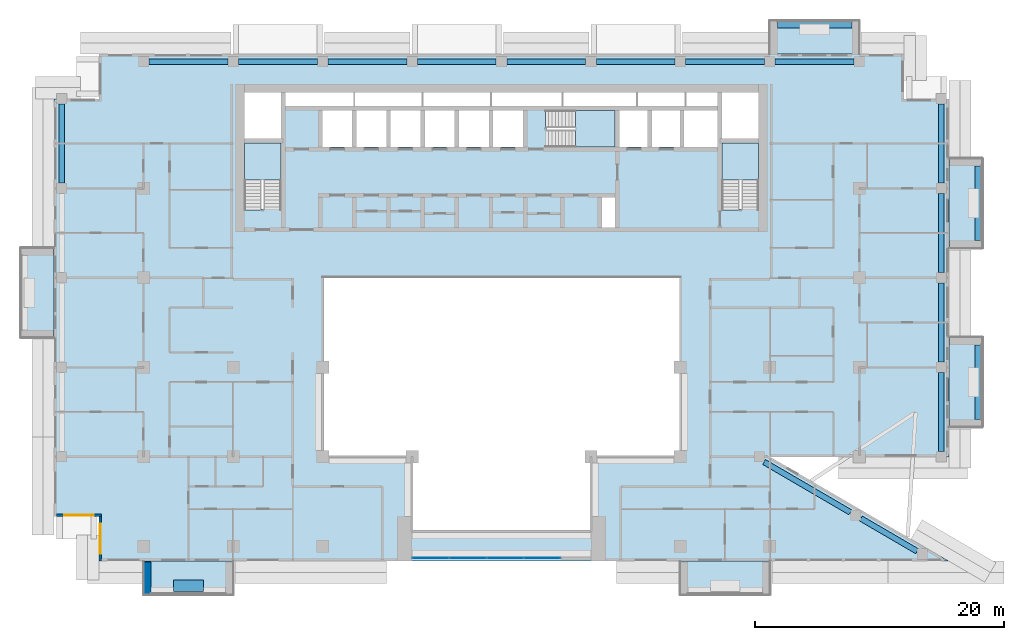
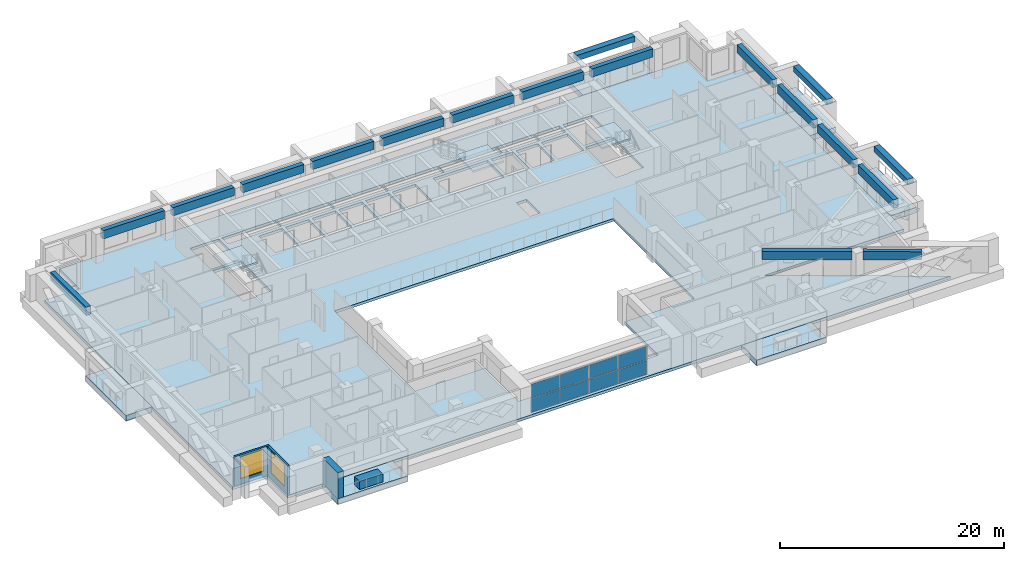
# One storey, part 5 of 20: 18 beams, 10 slabs, 8 plates, 4 walls, 2 windows, 2 openings, 4 elements without a shape of their own.
"""IFC4 building model written with IfcOpenShell, lengths in metres."""

from ifc_helpers import new_model, si_unit, direction, frame, frame_2d, origin, origin_2d, place, context, subcontext, project, spatial, polyline, rectangle, outline, extrude, source, transform, mapped, material, layer, layer_set, material_profile, profile_set, type_object, element, fill, aggregate, save


model = new_model("IFC4")

# Units and contexts
model_context = context("Model", 3, precision=1e-05, world=origin(), true_north=direction((0.0, 1.0)))
body_context = subcontext(model_context, "Body", "Model", "MODEL_VIEW")
ifc_project = project(units=[si_unit("LENGTHUNIT", "METRE"), si_unit("AREAUNIT", "SQUARE_METRE"), si_unit("VOLUMEUNIT", "CUBIC_METRE"), si_unit("PLANEANGLEUNIT", "RADIAN"), si_unit("MASSUNIT", "GRAM", prefix="KILO")], contexts=[model_context])

# Site, building, storey
site_placement = place(None, origin())
site = spatial("IfcSite", under=ifc_project, at=site_placement, CompositionType="ELEMENT")
building_placement = place(site_placement, origin())
building = spatial("IfcBuilding", under=site, at=building_placement, Name="Saffron Iwan Residences", CompositionType="ELEMENT")
storey_placement = place(building_placement, frame((0.0, 0.0, 167.5)))
storey = spatial("IfcBuildingStorey", under=building, at=storey_placement, Name="L44", CompositionType="ELEMENT", Elevation=167.5)

# Beams
ifc_material_1 = material(Name="Concrete C50/60", Category="concrete")
ifc_material_profile_1 = material_profile(ifc_material_1, rectangle(XDim=0.449951171875, YDim=0.89990234375, at=origin_2d()), Name="RC 450x900")
ifc_profile_set_1 = profile_set([ifc_material_profile_1], Name="Concrete C50/60")
beam_type_1 = type_object("IfcBeamType", Name="SPANDREL BEAM RC 450x900 C50/60 TOP 3200", PredefinedType="SPANDREL", material=ifc_profile_set_1)
shared_shape_1 = source(origin(), body_context, "Body", "SweptSolid", [
    extrude(rectangle(XDim=0.449951171875, YDim=0.89990234375, at=origin_2d()), origin(), (0.0, 0.0, 1.0), 5.24267578125),
])
beam_1_placement = place(storey_placement, frame((79.32275390625, 43.03369140625, 2.75), z_axis=(0.863783967805, -0.503862339299, 0.0), x_axis=(0.503862339299, 0.863783967805, 0.0)))
element("IfcBeam", 1, at=beam_1_placement, inside=storey, type_object=beam_type_1, Name="Spandrel beam", PredefinedType="SPANDREL", context=body_context, shape_type="MappedRepresentation", body=[
    mapped(shared_shape_1, transform((0.0, 0.0, 0.0))),
])
shared_shape_2 = source(origin(), body_context, "Body", "SweptSolid", [
    extrude(rectangle(XDim=0.449951171875, YDim=0.89990234375, at=origin_2d()), origin(), (0.0, 0.0, 1.0), 8.028564453125),
])
beam_2_placement = place(storey_placement, frame((71.537841796875, 47.574951171875, 2.75), z_axis=(0.863773386225, -0.503880479132, 0.0), x_axis=(0.503880479132, 0.863773386225, 0.0)))
element("IfcBeam", 2, at=beam_2_placement, inside=storey, type_object=beam_type_1, Name="Spandrel beam", PredefinedType="SPANDREL", context=body_context, shape_type="MappedRepresentation", body=[
    mapped(shared_shape_2, transform((0.0, 0.0, 0.0))),
])
shared_shape_3 = source(origin(), body_context, "Body", "SweptSolid", [
    extrude(rectangle(XDim=0.449951171875, YDim=0.89990234375, at=origin_2d()), origin(), (0.0, 0.0, 1.0), 6.349853515625),
])
for number, where, z_axis, x_axis, name in (
    (3, (85.800048828125, 54.77490234375, 2.75), (0.0, -1.0, 0.0), (1.0, 0.0, 0.0), "Spandrel beam"),
    (4, (29.22509765625, 79.800048828125, 2.75), (1.0, 0.0, 0.0), (0.0, 1.0, 0.0), "Spandrel beam"),
    (5, (36.425048828125, 79.800048828125, 2.75), (1.0, 0.0, 0.0), (0.0, 1.0, 0.0), "Spandrel beam"),
    (6, (65.22509765625, 79.800048828125, 2.75), (1.0, 0.0, 0.0), (0.0, 1.0, 0.0), "Spandrel beam"),
    (7, (72.425048828125, 79.800048828125, 2.75), (1.0, 0.0, 0.0), (0.0, 1.0, 0.0), "Spandrel beam"),
):
    element("IfcBeam", number, at=place(storey_placement, frame(where, z_axis=z_axis, x_axis=x_axis)), inside=storey, type_object=beam_type_1, Name=name, PredefinedType="SPANDREL", context=body_context, shape_type="MappedRepresentation", body=[
        mapped(shared_shape_3, transform((0.0, 0.0, 0.0))),
    ])
shared_shape_4 = source(origin(), body_context, "Body", "SweptSolid", [
    extrude(rectangle(XDim=0.449951171875, YDim=0.89990234375, at=origin_2d()), origin(), (0.0, 0.0, 1.0), 6.35009765625),
])
for number, where, z_axis, x_axis, name in (
    (8, (85.800048828125, 61.97509765625, 2.75), (0.0, -1.0, 0.0), (1.0, 0.0, 0.0), "Spandrel beam"),
    (9, (85.800048828125, 69.175048828125, 2.75), (0.0, -1.0, 0.0), (1.0, 0.0, 0.0), "Spandrel beam"),
    (10, (15.0, 70.02490234375, 2.75), (0.0, 1.0, 0.0), (-1.0, 0.0, 0.0), "Spandrel beam"),
    (11, (85.800048828125, 76.375, 2.75), (0.0, -1.0, 0.0), (1.0, 0.0, 0.0), "Spandrel beam"),
    (12, (22.02490234375, 79.800048828125, 2.75), (1.0, 0.0, 0.0), (0.0, 1.0, 0.0), "Spandrel beam"),
    (13, (43.625, 79.800048828125, 2.75), (1.0, 0.0, 0.0), (0.0, 1.0, 0.0), "Spandrel beam"),
    (14, (50.824951171875, 79.800048828125, 2.75), (1.0, 0.0, 0.0), (0.0, 1.0, 0.0), "Spandrel beam"),
    (15, (58.02490234375, 79.800048828125, 2.75), (1.0, 0.0, 0.0), (0.0, 1.0, 0.0), "Spandrel beam"),
):
    element("IfcBeam", number, at=place(storey_placement, frame(where, z_axis=z_axis, x_axis=x_axis)), inside=storey, type_object=beam_type_1, Name=name, PredefinedType="SPANDREL", context=body_context, shape_type="MappedRepresentation", body=[
        mapped(shared_shape_4, transform((0.0, 0.0, 0.0))),
    ])
ifc_material_2 = material(Name="Concrete C50/60 white painted", Category="concrete")
ifc_material_profile_2 = material_profile(ifc_material_2, rectangle(XDim=0.60009765625, YDim=0.60009765625, at=origin_2d()), Name="BALCONY FASCIA BEAM 600 x 600")
ifc_profile_set_2 = profile_set([ifc_material_profile_2], Name="Concrete C50/60 white painted")
beam_type_2 = type_object("IfcBeamType", Name="BALCONY FASCIA BEAM 600 x 600", PredefinedType="BEAM", material=ifc_profile_set_2)
shared_shape_5 = source(origin(), body_context, "Body", "SweptSolid", [
    extrude(rectangle(XDim=0.60009765625, YDim=0.60009765625, at=origin_2d()), origin(), (0.0, 0.0, 1.0), 6.0),
])
for number, where, z_axis, x_axis, name in (
    (16, (88.800048828125, 51.0, 2.550048828125), (0.0, 1.0, 0.0), (-1.0, 0.0, 0.0), "Balcony fascia beam L44 F2-0"),
    (17, (88.800048828125, 65.39990234375, 2.550048828125), (0.0, 1.0, 0.0), (-1.0, 0.0, 0.0), "Balcony fascia beam L44 F2-1"),
    (18, (78.60009765625, 82.800048828125, 2.550048828125), (-1.0, 0.0, 0.0), (0.0, -1.0, 0.0), "Balcony fascia beam L44 F5-0"),
):
    element("IfcBeam", number, at=place(storey_placement, frame(where, z_axis=z_axis, x_axis=x_axis)), inside=storey, type_object=beam_type_2, Name=name, PredefinedType="BEAM", context=body_context, shape_type="MappedRepresentation", body=[
        mapped(shared_shape_5, transform((0.0, 0.0, 0.0))),
    ])

# Slabs
ifc_layer_1 = layer(ifc_material_2, 0.60009765625)
ifc_layer_set_1 = layer_set([ifc_layer_1], Name="Concrete C50/60 white painted")
slab_type_1 = type_object("IfcSlabType", Name="BALCONY FRAME SLAB 600", PredefinedType="FLOOR", material=ifc_layer_set_1)
slab_1_placement = place(storey_placement, frame((0.0, 0.0, -0.60009765625)))
element("IfcSlab", 19, at=slab_1_placement, inside=storey, type_object=slab_type_1, Name="Balcony frame slab L44 F2-0", PredefinedType="FLOOR", context=body_context, shape_type="SweptSolid", body=[
    extrude(outline(polyline([(89.10009765625, 50.39990234375), (89.10009765625, 57.60009765625), (86.39990234375, 57.60009765625), (86.39990234375, 50.39990234375), (89.10009765625, 50.39990234375)])), origin(), (0.0, 0.0, 1.0), 0.60009765625),
])
slab_2_placement = place(storey_placement, frame((0.0, 0.0, -0.60009765625)))
element("IfcSlab", 20, at=slab_2_placement, inside=storey, type_object=slab_type_1, Name="Balcony frame slab L44 F2-1", PredefinedType="FLOOR", context=body_context, shape_type="SweptSolid", body=[
    extrude(outline(polyline([(89.10009765625, 64.800048828125), (89.10009765625, 72.0), (86.39990234375, 72.0), (86.39990234375, 64.800048828125), (89.10009765625, 64.800048828125)])), origin(), (0.0, 0.0, 1.0), 0.60009765625),
])
slab_3_placement = place(storey_placement, frame((0.0, 0.0, -0.60009765625)))
element("IfcSlab", 21, at=slab_3_placement, inside=storey, type_object=slab_type_1, Name="Balcony frame slab L44 F5-0", PredefinedType="FLOOR", context=body_context, shape_type="SweptSolid", body=[
    extrude(outline(polyline([(79.199951171875, 83.10009765625), (72.0, 83.10009765625), (72.0, 80.39990234375), (79.199951171875, 80.39990234375), (79.199951171875, 83.10009765625)])), origin(), (0.0, 0.0, 1.0), 0.60009765625),
])
slab_4_placement = place(storey_placement, frame((0.0, 0.0, -0.60009765625)))
element("IfcSlab", 22, at=slab_4_placement, inside=storey, type_object=slab_type_1, Name="Balcony frame slab L44 F8-0", PredefinedType="FLOOR", context=body_context, shape_type="SweptSolid", body=[
    extrude(outline(polyline([(11.699951171875, 64.800048828125), (11.699951171875, 57.60009765625), (14.39990234375, 57.60009765625), (14.39990234375, 64.800048828125), (11.699951171875, 64.800048828125)])), origin(), (0.0, 0.0, 1.0), 0.60009765625),
])
slab_5_placement = place(storey_placement, frame((0.0, 0.0, -0.60009765625)))
element("IfcSlab", 23, at=slab_5_placement, inside=storey, type_object=slab_type_1, Name="Balcony frame slab L44 11-0", PredefinedType="FLOOR", context=body_context, shape_type="SweptSolid", body=[
    extrude(outline(polyline([(21.60009765625, 36.89990234375), (28.800048828125, 36.89990234375), (28.800048828125, 39.60009765625), (21.60009765625, 39.60009765625), (21.60009765625, 36.89990234375)])), origin(), (0.0, 0.0, 1.0), 0.60009765625),
])
slab_6_placement = place(storey_placement, frame((0.0, 0.0, -0.60009765625)))
element("IfcSlab", 24, at=slab_6_placement, inside=storey, type_object=slab_type_1, Name="Balcony frame slab L44 11-1", PredefinedType="FLOOR", context=body_context, shape_type="SweptSolid", body=[
    extrude(outline(polyline([(64.800048828125, 36.89990234375), (72.0, 36.89990234375), (72.0, 39.60009765625), (64.800048828125, 39.60009765625), (64.800048828125, 36.89990234375)])), origin(), (0.0, 0.0, 1.0), 0.60009765625),
])
ifc_material_3 = material(Name="Concrete C40/50", Category="concrete")
ifc_layer_2 = layer(ifc_material_3, 0.300048828125)
ifc_layer_set_2 = layer_set([ifc_layer_2], Name="Concrete C40/50")
slab_type_2 = type_object("IfcSlabType", Name="PT PLATE 300 C40/50", PredefinedType="FLOOR", material=ifc_layer_set_2)
slab_7_placement = place(storey_placement, frame((0.0, 0.0, -0.300048828125)))
element("IfcSlab", 25, at=slab_7_placement, inside=storey, type_object=slab_type_2, Name="Floor slab L44", PredefinedType="FLOOR", context=body_context, shape_type="SweptSolid", body=[
    extrude(outline(polyline([(14.39990234375, 43.199951171875), (14.39990234375, 76.800048828125), (18.0, 76.800048828125), (18.0, 80.39990234375), (82.800048828125, 80.39990234375), (82.800048828125, 76.800048828125), (86.39990234375, 76.800048828125), (86.39990234375, 48.0), (72.0, 48.0), (86.39990234375, 39.60009765625), (18.0, 39.60009765625), (18.0, 43.199951171875), (14.39990234375, 43.199951171875)]), holes=[polyline([(64.800048828125, 48.0), (64.800048828125, 62.39990234375), (36.0, 62.39990234375), (36.0, 48.0), (43.199951171875, 48.0), (43.199951171875, 42.0), (57.60009765625, 42.0), (57.60009765625, 48.0), (64.800048828125, 48.0)]), polyline([(29.699951171875, 73.25), (29.699951171875, 67.949951171875), (29.699951171875, 67.8505859375), (31.10009765625, 67.8505859375), (31.10009765625, 67.949951171875), (32.64990234375, 67.949951171875), (32.64990234375, 73.25), (29.699951171875, 73.25)]), polyline([(38.375, 75.875), (35.97509765625, 75.875), (35.97509765625, 72.925048828125), (38.375, 72.925048828125), (38.375, 75.875)]), polyline([(41.125, 75.875), (38.72509765625, 75.875), (38.72509765625, 72.925048828125), (41.125, 72.925048828125), (41.125, 75.875)]), polyline([(43.875, 72.925048828125), (43.875, 75.875), (41.47509765625, 75.875), (41.47509765625, 72.925048828125), (43.875, 72.925048828125)]), polyline([(46.625, 72.925048828125), (46.625, 75.875), (44.22509765625, 75.875), (44.22509765625, 72.925048828125), (46.625, 72.925048828125)]), polyline([(49.375, 75.875), (46.97509765625, 75.875), (46.97509765625, 72.925048828125), (49.375, 72.925048828125), (49.375, 75.875)]), polyline([(52.125, 72.925048828125), (52.125, 75.875), (49.72509765625, 75.875), (49.72509765625, 72.925048828125), (52.125, 72.925048828125)]), polyline([(32.64990234375, 73.60009765625), (32.64990234375, 77.300048828125), (29.699951171875, 77.300048828125), (29.699951171875, 73.60009765625), (32.64990234375, 73.60009765625)]), polyline([(38.5, 77.300048828125), (33.0, 77.300048828125), (33.0, 76.22509765625), (38.5, 76.22509765625), (38.5, 77.300048828125)]), polyline([(44.0, 76.22509765625), (44.0, 77.300048828125), (38.60009765625, 77.300048828125), (38.60009765625, 76.22509765625), (44.0, 76.22509765625)]), polyline([(49.5, 76.22509765625), (49.5, 77.300048828125), (44.10009765625, 77.300048828125), (44.10009765625, 76.22509765625), (49.5, 76.22509765625)]), polyline([(59.550048828125, 68.875), (58.47509765625, 68.875), (58.47509765625, 66.449951171875), (59.550048828125, 66.449951171875), (59.550048828125, 68.875)]), polyline([(68.14990234375, 73.25), (68.14990234375, 67.949951171875), (68.14990234375, 67.8505859375), (69.550048828125, 67.8505859375), (69.550048828125, 67.949951171875), (71.10009765625, 67.949951171875), (71.10009765625, 73.25), (68.14990234375, 73.25)]), polyline([(54.02490234375, 74.47509765625), (54.02490234375, 72.925048828125), (59.550048828125, 72.925048828125), (59.550048828125, 75.875), (54.02490234375, 75.875), (53.925537109375, 75.875), (53.925537109375, 74.47509765625), (54.02490234375, 74.47509765625)]), polyline([(62.14990234375, 72.925048828125), (62.14990234375, 75.875), (59.89990234375, 75.875), (59.89990234375, 72.925048828125), (62.14990234375, 72.925048828125)]), polyline([(64.75, 72.925048828125), (64.75, 75.875), (62.5, 75.875), (62.5, 72.925048828125), (64.75, 72.925048828125)]), polyline([(67.800048828125, 75.875), (65.10009765625, 75.875), (65.10009765625, 72.925048828125), (67.800048828125, 72.925048828125), (67.800048828125, 75.875)]), polyline([(71.10009765625, 73.60009765625), (71.10009765625, 77.300048828125), (68.14990234375, 77.300048828125), (68.14990234375, 73.60009765625), (71.10009765625, 73.60009765625)]), polyline([(55.25, 76.22509765625), (55.25, 77.300048828125), (49.60009765625, 77.300048828125), (49.60009765625, 76.22509765625), (55.25, 76.22509765625)]), polyline([(61.25, 77.300048828125), (55.35009765625, 77.300048828125), (55.35009765625, 76.22509765625), (61.25, 76.22509765625), (61.25, 77.300048828125)]), polyline([(65.14990234375, 76.22509765625), (65.14990234375, 77.300048828125), (61.35009765625, 77.300048828125), (61.35009765625, 76.22509765625), (65.14990234375, 76.22509765625)]), polyline([(67.800048828125, 76.22509765625), (67.800048828125, 77.300048828125), (65.25, 77.300048828125), (65.25, 76.22509765625), (67.800048828125, 76.22509765625)])]), origin(), (0.0, 0.0, 1.0), 0.300048828125),
])

# Stair, slab
stair_type = type_object("IfcStairType", Name="Stair ST-CORE", PredefinedType="HALF_TURN_STAIR", material=ifc_material_1)
stair_1_placement = place(storey_placement, origin())
stair_1 = element("IfcStair", 26, at=stair_1_placement, inside=storey, type_object=stair_type, Name="L44 Exit Stair ST-W", PredefinedType="HALF_TURN_STAIR")
ifc_layer_3 = layer(ifc_material_1, 0.199951171875)
ifc_layer_set_3 = layer_set([ifc_layer_3], Name="Concrete C50/60")
slab_type_3 = type_object("IfcSlabType", Name="Stair landing SL-RC", PredefinedType="LANDING", material=ifc_layer_set_3)
slab_8_placement = place(storey_placement, frame((0.0, 0.0, 1.5498046875)))
slab_8 = element("IfcSlab", 27, at=slab_8_placement, type_object=slab_type_3, Name="ST-W landing 1", PredefinedType="LANDING", context=body_context, shape_type="SweptSolid", body=[
    extrude(outline(polyline([(32.64990234375, 70.280029296875), (32.64990234375, 73.25), (29.699951171875, 73.25), (29.699951171875, 70.280029296875), (32.64990234375, 70.280029296875)])), origin(), (0.0, 0.0, 1.0), 0.2001953125),
])
aggregate(stair_1, [slab_8])

stair_2_placement = place(storey_placement, origin())
stair_2 = element("IfcStair", 28, at=stair_2_placement, inside=storey, type_object=stair_type, Name="L44 Exit Stair ST-C", PredefinedType="HALF_TURN_STAIR")
slab_9_placement = place(storey_placement, frame((0.0, 0.0, 1.5498046875)))
slab_9 = element("IfcSlab", 29, at=slab_9_placement, type_object=slab_type_3, Name="ST-C landing 1", PredefinedType="LANDING", context=body_context, shape_type="SweptSolid", body=[
    extrude(outline(polyline([(56.35498046875, 72.925048828125), (59.550048828125, 72.925048828125), (59.550048828125, 75.875), (56.35498046875, 75.875), (56.35498046875, 72.925048828125)])), origin(), (0.0, 0.0, 1.0), 0.2001953125),
])
aggregate(stair_2, [slab_9])

stair_3_placement = place(storey_placement, origin())
stair_3 = element("IfcStair", 30, at=stair_3_placement, inside=storey, type_object=stair_type, Name="L44 Exit Stair ST-E", PredefinedType="HALF_TURN_STAIR")
slab_10_placement = place(storey_placement, frame((0.0, 0.0, 1.5498046875)))
slab_10 = element("IfcSlab", 31, at=slab_10_placement, type_object=slab_type_3, Name="ST-E landing 1", PredefinedType="LANDING", context=body_context, shape_type="SweptSolid", body=[
    extrude(outline(polyline([(71.10009765625, 70.280029296875), (71.10009765625, 73.25), (68.14990234375, 73.25), (68.14990234375, 70.280029296875), (71.10009765625, 70.280029296875)])), origin(), (0.0, 0.0, 1.0), 0.2001953125),
])
aggregate(stair_3, [slab_10])

# Curtain wall, plates
ifc_material_4 = material(Name="Clear glass, laminated double glazed", Category="glass")
ifc_layer_4 = layer(ifc_material_4, 0.199951171875)
ifc_layer_set_4 = layer_set([ifc_layer_4], Name="Clear glass, laminated double glazed")
curtain_wall_type = type_object("IfcCurtainWallType", Name="CW-B IWAN PORTAL", PredefinedType="NOTDEFINED", material=ifc_layer_set_4)
curtain_wall_placement = place(storey_placement, origin())
curtain_wall = element("IfcCurtainWall", 32, at=curtain_wall_placement, inside=storey, type_object=curtain_wall_type, Name="Iwan portal glazing L44.1", PredefinedType="NOTDEFINED")
ifc_layer_5 = layer(ifc_material_4, 0.028076171875)
ifc_layer_set_5 = layer_set([ifc_layer_5], Name="Clear glass, laminated double glazed")
plate_type = type_object("IfcPlateType", Name="CW-B PANEL 28", PredefinedType="CURTAIN_PANEL", material=ifc_layer_set_5)
shared_shape_6 = source(origin(), body_context, "Body", "SweptSolid", [
    extrude(rectangle(XDim=2.909912109375, YDim=0.028076171875, at=origin_2d()), origin(), (0.0, 0.0, 1.0), 1.510009765625),
])
plate_1_placement = place(storey_placement, frame((44.715087890625, 39.85009765625, 0.06005859375), z_axis=(0.0, 0.0, 1.0), x_axis=(1.0, 0.0, 0.0)))
plate_1 = element("IfcPlate", 33, at=plate_1_placement, type_object=plate_type, Name="CW-B panel 1.1", PredefinedType="CURTAIN_PANEL", context=body_context, shape_type="MappedRepresentation", body=[
    mapped(shared_shape_6, transform((0.0, 0.0, 0.0))),
])
plate_2_placement = place(storey_placement, frame((44.715087890625, 39.85009765625, 1.6298828125), z_axis=(0.0, 0.0, 1.0), x_axis=(1.0, 0.0, 0.0)))
plate_2 = element("IfcPlate", 34, at=plate_2_placement, type_object=plate_type, Name="CW-B panel 1.2", PredefinedType="CURTAIN_PANEL", context=body_context, shape_type="MappedRepresentation", body=[
    mapped(shared_shape_6, transform((0.0, 0.0, 0.0))),
])
plate_3_placement = place(storey_placement, frame((53.68505859375, 39.85009765625, 0.06005859375), z_axis=(0.0, 0.0, 1.0), x_axis=(1.0, 0.0, 0.0)))
plate_3 = element("IfcPlate", 35, at=plate_3_placement, type_object=plate_type, Name="CW-B panel 4.1", PredefinedType="CURTAIN_PANEL", context=body_context, shape_type="MappedRepresentation", body=[
    mapped(shared_shape_6, transform((0.0, 0.0, 0.0))),
])
plate_4_placement = place(storey_placement, frame((53.68505859375, 39.85009765625, 1.6298828125), z_axis=(0.0, 0.0, 1.0), x_axis=(1.0, 0.0, 0.0)))
plate_4 = element("IfcPlate", 36, at=plate_4_placement, type_object=plate_type, Name="CW-B panel 4.2", PredefinedType="CURTAIN_PANEL", context=body_context, shape_type="MappedRepresentation", body=[
    mapped(shared_shape_6, transform((0.0, 0.0, 0.0))),
])
shared_shape_7 = source(origin(), body_context, "Body", "SweptSolid", [
    extrude(rectangle(XDim=2.93994140625, YDim=0.028076171875, at=origin_2d()), origin(), (0.0, 0.0, 1.0), 1.510009765625),
])
plate_5_placement = place(storey_placement, frame((47.699951171875, 39.85009765625, 0.06005859375), z_axis=(0.0, 0.0, 1.0), x_axis=(1.0, 0.0, 0.0)))
plate_5 = element("IfcPlate", 37, at=plate_5_placement, type_object=plate_type, Name="CW-B panel 2.1", PredefinedType="CURTAIN_PANEL", context=body_context, shape_type="MappedRepresentation", body=[
    mapped(shared_shape_7, transform((0.0, 0.0, 0.0))),
])
plate_6_placement = place(storey_placement, frame((47.699951171875, 39.85009765625, 1.6298828125), z_axis=(0.0, 0.0, 1.0), x_axis=(1.0, 0.0, 0.0)))
plate_6 = element("IfcPlate", 38, at=plate_6_placement, type_object=plate_type, Name="CW-B panel 2.2", PredefinedType="CURTAIN_PANEL", context=body_context, shape_type="MappedRepresentation", body=[
    mapped(shared_shape_7, transform((0.0, 0.0, 0.0))),
])
plate_7_placement = place(storey_placement, frame((50.699951171875, 39.85009765625, 0.06005859375), z_axis=(0.0, 0.0, 1.0), x_axis=(1.0, 0.0, 0.0)))
plate_7 = element("IfcPlate", 39, at=plate_7_placement, type_object=plate_type, Name="CW-B panel 3.1", PredefinedType="CURTAIN_PANEL", context=body_context, shape_type="MappedRepresentation", body=[
    mapped(shared_shape_7, transform((0.0, 0.0, 0.0))),
])
plate_8_placement = place(storey_placement, frame((50.699951171875, 39.85009765625, 1.6298828125), z_axis=(0.0, 0.0, 1.0), x_axis=(1.0, 0.0, 0.0)))
plate_8 = element("IfcPlate", 40, at=plate_8_placement, type_object=plate_type, Name="CW-B panel 3.2", PredefinedType="CURTAIN_PANEL", context=body_context, shape_type="MappedRepresentation", body=[
    mapped(shared_shape_7, transform((0.0, 0.0, 0.0))),
])
aggregate(curtain_wall, [plate_1, plate_2, plate_5, plate_6, plate_7, plate_8, plate_3, plate_4])

# Walls
ifc_layer_6 = layer(ifc_material_2, 0.60009765625)
ifc_layer_set_6 = layer_set([ifc_layer_6], Name="Concrete C50/60 white painted")
wall_type_1 = type_object("IfcWallType", Name="BALCONY FIN 600", PredefinedType="SOLIDWALL", material=ifc_layer_set_6)
wall_1_placement = place(storey_placement, frame((21.89990234375, 39.550048828125, 0.0), z_axis=(0.0, 0.0, 1.0), x_axis=(0.0, -1.0, 0.0)))
element("IfcWall", 41, at=wall_1_placement, inside=storey, type_object=wall_type_1, Name="Balcony fin L44 11-0a", PredefinedType="SOLIDWALL", context=body_context, shape_type="SweptSolid", body=[
    extrude(rectangle(XDim=2.650146484375, YDim=0.60009765625, at=frame_2d((1.3251953125, 0.0))), origin(), (0.0, 0.0, 1.0), 2.85009765625),
])
ifc_material_5 = material(Name="Concrete C35/45 white painted", Category="concrete")
ifc_layer_7 = layer(ifc_material_5, 0.14990234375)
ifc_layer_set_7 = layer_set([ifc_layer_7], Name="Concrete C35/45 white painted")
wall_type_2 = type_object("IfcWallType", Name="BALCONY PLANTER", PredefinedType="SOLIDWALL", material=ifc_layer_set_7)
wall_2_placement = place(storey_placement, frame((24.0, 37.625, 0.0), z_axis=(0.0, 0.0, 1.0), x_axis=(1.0, 0.0, 0.0)))
element("IfcWall", 42, at=wall_2_placement, inside=storey, type_object=wall_type_2, Name="PLANTER L44 11-0", PredefinedType="SOLIDWALL", context=body_context, shape_type="SweptSolid", body=[
    extrude(rectangle(XDim=2.39990234375, YDim=0.89990234375, at=frame_2d((1.199951171875, 0.0))), origin(), (0.0, 0.0, 1.0), 0.89990234375),
])

# Wall, opening, window
ifc_layer_8 = layer(ifc_material_3, 0.199951171875)
ifc_layer_set_8 = layer_set([ifc_layer_8], Name="Concrete C40/50")
wall_type_3 = type_object("IfcWallType", Name="EXTERNAL WALL 200", PredefinedType="SOLIDWALL", material=ifc_layer_set_8)
wall_3_placement = place(storey_placement, frame((14.60009765625, 43.300048828125, 0.0), z_axis=(0.0, 0.0, 1.0), x_axis=(1.0, 0.0, 0.0)))
wall_3 = element("IfcWall", 43, at=wall_3_placement, inside=storey, type_object=wall_type_3, Name="External wall L44 F9.0", PredefinedType="SOLIDWALL", context=body_context, shape_type="SweptSolid", body=[
    extrude(rectangle(XDim=3.599853515625, YDim=0.199951171875, at=frame_2d((1.7998046875, 0.0))), origin(), (0.0, 0.0, 1.0), 3.199951171875),
])
opening_1_placement = place(wall_3_placement, frame((0.60009765625, 0.0, 0.60009765625)))
opening_1 = element("IfcOpeningElement", 44, at=opening_1_placement, cuts=wall_3, Name="Opening W1", PredefinedType="OPENING", context=body_context, shape_type="SweptSolid", body=[
    extrude(rectangle(XDim=2.39990234375, YDim=2.39990234375, at=frame_2d((1.199951171875, 1.199951171875))), frame((0.0, 0.10986328125, 0.0), z_axis=(0.0, -1.0, 0.0), x_axis=(1.0, 0.0, 0.0)), (0.0, 0.0, 1.0), 0.219970703125),
])
window_type = type_object("IfcWindowType", Name="WINDOW 2400 x 2400", PartitioningType="DOUBLE_PANEL_VERTICAL", PredefinedType="WINDOW", material=ifc_material_4)
window_1_placement = place(opening_1_placement, origin())
window_1 = element("IfcWindow", 45, at=window_1_placement, inside=storey, type_object=window_type, Name="Window L44 F9.0", OverallHeight=2.39990234375, OverallWidth=2.39990234375, PartitioningType="DOUBLE_PANEL_VERTICAL", PredefinedType="WINDOW", context=body_context, shape_type="SweptSolid", body=[
    extrude(rectangle(XDim=2.39990234375, YDim=2.39990234375, at=frame_2d((1.199951171875, 1.199951171875))), frame((0.0, 0.030029296875, 0.0), z_axis=(0.0, -1.0, 0.0), x_axis=(1.0, 0.0, 0.0)), (0.0, 0.0, 1.0), 0.06005859375),
])
fill(opening_1, window_1)

wall_4_placement = place(storey_placement, frame((18.10009765625, 43.199951171875, 0.0), z_axis=(0.0, 0.0, 1.0), x_axis=(0.0, -1.0, 0.0)))
wall_4 = element("IfcWall", 46, at=wall_4_placement, inside=storey, type_object=wall_type_3, Name="External wall L44 F10.0", PredefinedType="SOLIDWALL", context=body_context, shape_type="SweptSolid", body=[
    extrude(rectangle(XDim=3.599853515625, YDim=0.199951171875, at=frame_2d((1.7998046875, 0.0))), origin(), (0.0, 0.0, 1.0), 3.199951171875),
])
opening_2_placement = place(wall_4_placement, frame((0.60009765625, 0.0, 0.60009765625)))
opening_2 = element("IfcOpeningElement", 47, at=opening_2_placement, cuts=wall_4, Name="Opening W1", PredefinedType="OPENING", context=body_context, shape_type="SweptSolid", body=[
    extrude(rectangle(XDim=2.39990234375, YDim=2.39990234375, at=frame_2d((1.199951171875, 1.199951171875))), frame((0.0, 0.10986328125, 0.0), z_axis=(0.0, -1.0, 0.0), x_axis=(1.0, 0.0, 0.0)), (0.0, 0.0, 1.0), 0.219970703125),
])
window_2_placement = place(opening_2_placement, origin())
window_2 = element("IfcWindow", 48, at=window_2_placement, inside=storey, type_object=window_type, Name="Window L44 F10.0", OverallHeight=2.39990234375, OverallWidth=2.39990234375, PartitioningType="DOUBLE_PANEL_VERTICAL", PredefinedType="WINDOW", context=body_context, shape_type="SweptSolid", body=[
    extrude(rectangle(XDim=2.39990234375, YDim=2.39990234375, at=frame_2d((1.199951171875, 1.199951171875))), frame((0.0, 0.030029296875, 0.0), z_axis=(0.0, -1.0, 0.0), x_axis=(1.0, 0.0, 0.0)), (0.0, 0.0, 1.0), 0.06005859375),
])
fill(opening_2, window_2)

save(model, "model.ifc")
